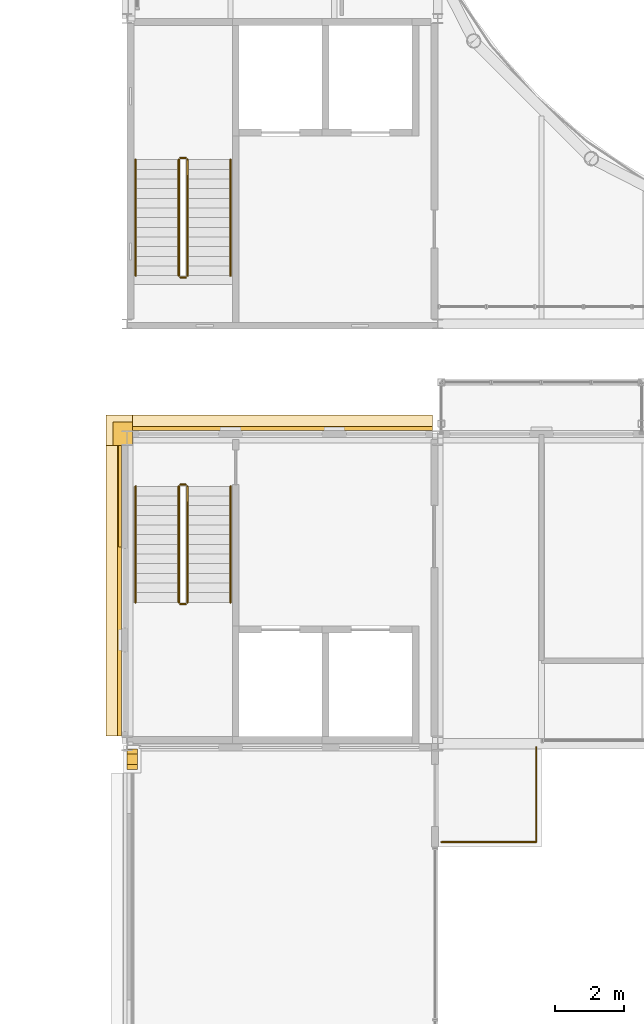
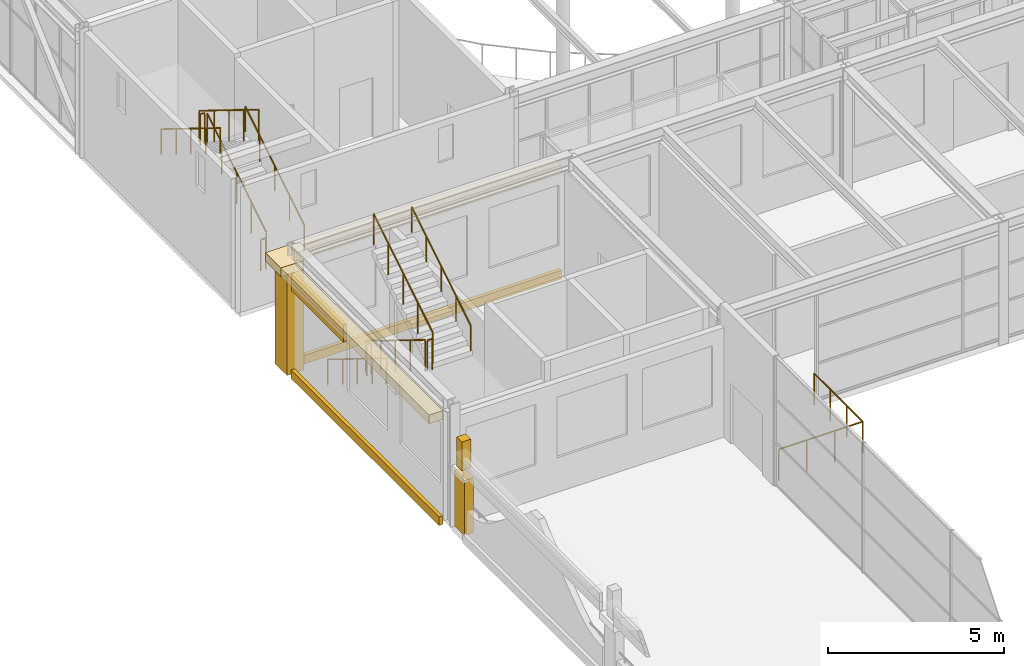
# One storey, part 65 of 70: 13 railings, 10 coverings.
"""IFC4 building model written with IfcOpenShell, lengths in metres."""

import ifcopenshell
import ifcopenshell.guid

model = None  # the IFC model being written
_history = None  # IfcOwnerHistory: only IFC2X3 demands one
_inside = {}  # id of a spatial element -> (the spatial element, [elements in it])
_under = {}  # id of a project, library or spatial element -> (it, [spatial elements below it])
_declared = {}  # id of a project -> (the project, [libraries it declares])
_typed = {}  # id of a type object -> (the type object, [elements of that type])
_made_of = {}  # id of a material, layer set ... -> (it, [elements and type objects made of it])


def new_model(schema):
    """Start an empty IFC model of exactly this schema.

    Asked for "IFC4X3", IfcOpenShell would pick the latest addendum, in which some entities
    have other attributes; the version numbers below select the first issue.
    IFC2X3 requires an IfcOwnerHistory on every rooted entity: one is made here for all.
    """
    global model, _history
    if schema == "IFC4X3":
        model = ifcopenshell.file(schema_version=(4, 3, 0, 0))
    else:
        model = ifcopenshell.file(schema=schema)
    _inside.clear()
    _under.clear()
    _declared.clear()
    _typed.clear()
    _made_of.clear()
    _history = None
    if model.schema == "IFC2X3":
        org = make("IfcOrganization", Name="unknown")
        user = make(
            "IfcPersonAndOrganization",
            ThePerson=make("IfcPerson", FamilyName="unknown"),
            TheOrganization=org,
        )
        app = make(
            "IfcApplication",
            ApplicationDeveloper=org,
            Version="unknown",
            ApplicationFullName="unknown",
            ApplicationIdentifier="unknown",
        )
        _history = make(
            "IfcOwnerHistory",
            OwningUser=user,
            OwningApplication=app,
            ChangeAction="ADDED",
            CreationDate=0,
        )
    return model


def make(cls, **values):
    """One entity of the class cls with the attributes given. An attribute that is None is left unset."""
    return model.create_entity(
        cls, **{name: value for name, value in values.items() if value is not None}
    )


def rooted(cls, **values):
    """An entity with a GlobalId (a new one), such as an element, a storey or a relation."""
    return make(cls, GlobalId=ifcopenshell.guid.new(), OwnerHistory=_history, **values)


def si_unit(unit_type, name, prefix=None):
    """IfcSIUnit, for example si_unit("LENGTHUNIT", "METRE", prefix="MILLI")."""
    return make("IfcSIUnit", UnitType=unit_type, Prefix=prefix, Name=name)


def assignment(units):
    """IfcUnitAssignment: the units of a project."""
    return None if units is None else make("IfcUnitAssignment", Units=units)


def point(xyz):
    """IfcCartesianPoint."""
    return None if xyz is None else make("IfcCartesianPoint", Coordinates=xyz)


def direction(xyz):
    """IfcDirection."""
    return None if xyz is None else make("IfcDirection", DirectionRatios=xyz)


def frame(location, z_axis=None, x_axis=None):
    """IfcAxis2Placement3D, a coordinate frame: its origin and axes. An axis left out is left unset."""
    return make(
        "IfcAxis2Placement3D",
        Location=point(location),
        Axis=direction(z_axis),
        RefDirection=direction(x_axis),
    )


def frame_2d(location, x_axis=None):
    """IfcAxis2Placement2D, a coordinate frame in the plane: its origin and x axis."""
    return make(
        "IfcAxis2Placement2D", Location=point(location), RefDirection=direction(x_axis)
    )


def origin():
    """The frame at (0, 0, 0) with its axes left unset."""
    return frame((0.0, 0.0, 0.0))


def origin_2d():
    """The frame at (0, 0) in the plane with its x axis left unset."""
    return frame_2d((0.0, 0.0))


def place(relative_to, where):
    """IfcLocalPlacement: puts the frame where relative to a parent placement (None: the world)."""
    return make(
        "IfcLocalPlacement", PlacementRelTo=relative_to, RelativePlacement=where
    )


def context(
    kind, dimensions, precision=None, world=None, true_north=None, identifier=None
):
    """IfcGeometricRepresentationContext, for example the 3D "Model" context."""
    return make(
        "IfcGeometricRepresentationContext",
        ContextIdentifier=identifier,
        ContextType=kind,
        CoordinateSpaceDimension=dimensions,
        Precision=precision,
        WorldCoordinateSystem=world,
        TrueNorth=true_north,
    )


def subcontext(parent, identifier, kind, view, scale=None):
    """IfcGeometricRepresentationSubContext, for example "Body" below "Model"."""
    return make(
        "IfcGeometricRepresentationSubContext",
        ContextIdentifier=identifier,
        ContextType=kind,
        ParentContext=parent,
        TargetScale=scale,
        TargetView=view,
    )


def project(units=None, contexts=None):
    """IfcProject with its units and contexts."""
    return rooted(
        "IfcProject",
        Name="project",
        RepresentationContexts=contexts,
        UnitsInContext=assignment(units),
    )


def spatial(cls, under=None, at=None, **own):
    """A site, building, storey or space (cls), placed at a placement, below another one or the project."""
    s = rooted(cls, ObjectPlacement=at, **own)
    if under is not None:
        _under.setdefault(under.id(), (under, []))[1].append(s)
    return s


def profile(cls, at=None, kind="AREA", **sizes):
    """A parametric profile (cls). Its sizes go by their IFC names, for example OverallWidth=200.0."""
    return make(cls, ProfileType=kind, Position=at, **sizes)


def rectangle(**sizes):
    """IfcRectangleProfileDef."""
    return profile("IfcRectangleProfileDef", **sizes)


def circle(**sizes):
    """IfcCircleProfileDef."""
    return profile("IfcCircleProfileDef", **sizes)


def extrude(swept, where, along, depth):
    """IfcExtrudedAreaSolid: the profile swept, set in the frame where, extruded along a direction by depth."""
    return make(
        "IfcExtrudedAreaSolid",
        SweptArea=swept,
        Position=where,
        ExtrudedDirection=direction(along),
        Depth=depth,
    )


def shape(context_of_items, identifier, shape_type, items):
    """IfcShapeRepresentation: the items that make up one representation, for example the "Body"."""
    return make(
        "IfcShapeRepresentation",
        ContextOfItems=context_of_items,
        RepresentationIdentifier=identifier,
        RepresentationType=shape_type,
        Items=items,
    )


def material(Name=None, Category=None):
    """IfcMaterial."""
    return make("IfcMaterial", Name=Name, Category=Category)


def layer(
    of_material, thickness, ventilated=None, Name=None, Category=None, Priority=None
):
    """IfcMaterialLayer: one layer of a wall or slab, of a material (None: an air gap)."""
    return make(
        "IfcMaterialLayer",
        Material=of_material,
        LayerThickness=thickness,
        IsVentilated=ventilated,
        Name=Name,
        Category=Category,
        Priority=Priority,
    )


def layer_set(layers, Name=None):
    """IfcMaterialLayerSet."""
    return make("IfcMaterialLayerSet", MaterialLayers=layers, LayerSetName=Name)


def made_of(thing, what):
    """Note that an element or type object is made of a material, layer set ...; save() writes the relation."""
    if what is not None:
        _made_of.setdefault(what.id(), (what, []))[1].append(thing)
    return thing


def type_object(cls, material=None, **own):
    """A type object (cls), such as IfcWallType, which elements share."""
    return made_of(rooted(cls, **own), material)


def element(
    cls,
    number,
    at=None,
    inside=None,
    cuts=None,
    type_object=None,
    material=None,
    context=None,
    identifier="Body",
    shape_type=None,
    held_by="IfcProductDefinitionShape",
    body=None,
    shapes=None,
    **own,
):
    """One element of the class cls, such as IfcWall. Its Tag is "e" and its number.

    at: its placement. inside: the storey or other place that contains it. cuts: it is an
    opening in that element (IfcRelVoidsElement). A single representation is given by context,
    identifier, shape_type and body (its items); several are given by shapes. held_by: the class
    of the entity that holds the representations. save() writes the other relations.
    """
    e = rooted(cls, Tag="e%d" % number, ObjectPlacement=at, **own)
    if body is not None:
        shapes = [shape(context, identifier, shape_type, body)]
    if shapes is not None:
        e.Representation = make(held_by, Representations=shapes)
    if inside is not None:
        _inside.setdefault(inside.id(), (inside, []))[1].append(e)
    if cuts is not None:
        rooted(
            "IfcRelVoidsElement", RelatingBuildingElement=cuts, RelatedOpeningElement=e
        )
    if type_object is not None:
        _typed.setdefault(type_object.id(), (type_object, []))[1].append(e)
    return made_of(e, material)


def aggregate(whole, parts):
    """IfcRelAggregates: a whole, such as a stair, and the parts it consists of."""
    return rooted("IfcRelAggregates", RelatingObject=whole, RelatedObjects=parts)


def save(model, path):
    """Write the relations noted so far, then the file.

    IfcRelAggregates (storeys below a building ...), IfcRelContainedInSpatialStructure (elements
    in a storey), IfcRelDefinesByType, IfcRelAssociatesMaterial and IfcRelDeclares: one each for
    every whole, place, type object, material and project.
    """
    for whole, parts in _under.values():
        aggregate(whole, parts)
    for where, things in _inside.values():
        rooted(
            "IfcRelContainedInSpatialStructure",
            RelatedElements=things,
            RelatingStructure=where,
        )
    for kind, things in _typed.values():
        rooted("IfcRelDefinesByType", RelatedObjects=things, RelatingType=kind)
    for what, things in _made_of.values():
        rooted("IfcRelAssociatesMaterial", RelatedObjects=things, RelatingMaterial=what)
    for by, libraries in _declared.values():
        rooted("IfcRelDeclares", RelatingContext=by, RelatedDefinitions=libraries)
    model.write(path)


model = new_model("IFC4")

# Units and contexts
model_context = context("Model", 3, precision=1e-05, world=origin(), true_north=direction((0.0, 1.0)))
body_context = subcontext(model_context, "Body", "Model", "MODEL_VIEW")
ifc_project = project(units=[si_unit("LENGTHUNIT", "METRE"), si_unit("AREAUNIT", "SQUARE_METRE"), si_unit("VOLUMEUNIT", "CUBIC_METRE"), si_unit("PLANEANGLEUNIT", "RADIAN"), si_unit("MASSUNIT", "GRAM", prefix="KILO")], contexts=[model_context])

# Site, building, storey
site_placement = place(None, origin())
site = spatial("IfcSite", under=ifc_project, at=site_placement, CompositionType="ELEMENT")
building_placement = place(site_placement, origin())
building = spatial("IfcBuilding", under=site, at=building_placement, Name="Kallimachos Central Library", CompositionType="ELEMENT")
storey_placement = place(building_placement, frame((0.0, 0.0, 18.89990234375)))
storey = spatial("IfcBuildingStorey", under=building, at=storey_placement, Name="L04", CompositionType="ELEMENT", Elevation=18.89990234375)

# Railing
ifc_material_1 = material(Name="Wrought iron")
railing_type_1 = type_object("IfcRailingType", Name="Gallery guard", PredefinedType="GUARDRAIL", material=ifc_material_1)
railing_1_placement = place(storey_placement, frame((74.60009765625, 72.14990234375, 0.0)))
element("IfcRailing", 1, at=railing_1_placement, inside=storey, type_object=railing_type_1, Name="L04 corner landing guard west", PredefinedType="GUARDRAIL", context=body_context, shape_type="SweptSolid", body=[
    extrude(circle(Radius=0.02392578125, at=origin_2d()), frame((0.0, 0.0, 1.076171875), z_axis=(1.0, 0.0, 0.0), x_axis=(0.0, 1.0, 0.0)), (0.0, 0.0, 1.0), 2.75),
    extrude(circle(Radius=0.02392578125, at=origin_2d()), frame((2.75, 0.0, 1.076171875), z_axis=(0.0, 1.0, 0.0), x_axis=(-1.0, 0.0, 0.0)), (0.0, 0.0, 1.0), 2.75),
    extrude(circle(Radius=0.02099609375, at=origin_2d()), origin(), (0.0, 0.0, 1.0), 1.052001953125),
    extrude(circle(Radius=0.02099609375, at=origin_2d()), frame((0.916748046875, 0.0, 0.0)), (0.0, 0.0, 1.0), 1.052001953125),
    extrude(circle(Radius=0.02099609375, at=origin_2d()), frame((1.833251953125, 0.0, 0.0)), (0.0, 0.0, 1.0), 1.052001953125),
    extrude(circle(Radius=0.02099609375, at=origin_2d()), frame((2.75, 0.0, 0.0)), (0.0, 0.0, 1.0), 1.052001953125),
    extrude(circle(Radius=0.02099609375, at=origin_2d()), frame((2.75, 0.916748046875, 0.0)), (0.0, 0.0, 1.0), 1.052001953125),
    extrude(circle(Radius=0.02099609375, at=origin_2d()), frame((2.75, 1.833251953125, 0.0)), (0.0, 0.0, 1.0), 1.052001953125),
    extrude(circle(Radius=0.02099609375, at=origin_2d()), frame((2.75, 2.75, 0.0)), (0.0, 0.0, 1.0), 1.052001953125),
])

# Coverings
ifc_material_2 = material(Name="Glazed ceramic frieze, green")
ifc_layer_1 = layer(ifc_material_2, 0.10009765625)
ifc_layer_set_1 = layer_set([ifc_layer_1], Name="Glazed ceramic frieze, green")
covering_type_1 = type_object("IfcCoveringType", Name="Glazed ceramic frieze, green", PredefinedType="CLADDING", material=ifc_layer_set_1)
covering_1_placement = place(storey_placement, frame((65.29638671875, 82.1669921875, 3.18017578125), z_axis=(0.0, 0.0, 1.0), x_axis=(1.0, 0.0, 0.0)))
element("IfcCovering", 2, at=covering_1_placement, inside=storey, type_object=covering_type_1, Name="Glazed ceramic frieze, green -L04-020", PredefinedType="CLADDING", context=body_context, shape_type="SweptSolid", body=[
    extrude(rectangle(XDim=0.10009765625, YDim=2.93408203125, at=origin_2d()), origin(), (0.0, 0.0, 1.0), 0.300048828125),
])
ifc_material_3 = material(Name="Glazed ceramic frieze, ochre")
ifc_layer_2 = layer(ifc_material_3, 0.10009765625)
ifc_layer_set_2 = layer_set([ifc_layer_2], Name="Glazed ceramic frieze, ochre")
covering_type_2 = type_object("IfcCoveringType", Name="Glazed ceramic frieze, ochre", PredefinedType="CLADDING", material=ifc_layer_set_2)
covering_2_placement = place(storey_placement, frame((65.29638671875, 82.1669921875, 2.8798828125), z_axis=(0.0, 0.0, 1.0), x_axis=(1.0, 0.0, 0.0)))
element("IfcCovering", 3, at=covering_2_placement, inside=storey, type_object=covering_type_2, Name="Glazed ceramic frieze, ochre -L04-020", PredefinedType="CLADDING", context=body_context, shape_type="SweptSolid", body=[
    extrude(rectangle(XDim=0.10009765625, YDim=2.93408203125, at=origin_2d()), origin(), (0.0, 0.0, 1.0), 0.300048828125),
])

# Railings
ifc_material_4 = material(Name="Wrought iron")
railing_type_2 = type_object("IfcRailingType", Name="Stair guard", PredefinedType="GUARDRAIL", material=ifc_material_4)
railing_2_placement = place(storey_placement, frame((67.0, 82.449951171875, 0.173095703125)))
element("IfcRailing", 4, at=railing_2_placement, inside=storey, type_object=railing_type_2, Name="L04 ST9 stair guard 1", PredefinedType="GUARDRAIL", context=body_context, shape_type="SweptSolid", body=[
    extrude(circle(Radius=0.02392578125, at=origin_2d()), frame((0.0, 0.0, 1.076171875), z_axis=(0.0, -0.850606129759, 0.525803396734), x_axis=(1.0, 0.0, 0.0)), (0.0, 0.0, 1.0), 3.949951171875),
    extrude(circle(Radius=0.02099609375, at=origin_2d()), origin(), (0.0, 0.0, 1.0), 1.052001953125),
    extrude(circle(Radius=0.02099609375, at=origin_2d()), frame((0.0, -0.83984375, 0.519287109375)), (0.0, 0.0, 1.0), 1.052001953125),
    extrude(circle(Radius=0.02099609375, at=origin_2d()), frame((0.0, -1.679931640625, 1.03857421875)), (0.0, 0.0, 1.0), 1.052001953125),
    extrude(circle(Radius=0.02099609375, at=origin_2d()), frame((0.0, -2.52001953125, 1.5576171875)), (0.0, 0.0, 1.0), 1.052001953125),
    extrude(circle(Radius=0.02099609375, at=origin_2d()), frame((0.0, -3.35986328125, 2.076904296875)), (0.0, 0.0, 1.0), 1.052001953125),
])
railing_3_placement = place(storey_placement, frame((67.050048828125, 79.0400390625, 2.25)))
element("IfcRailing", 5, at=railing_3_placement, inside=storey, type_object=railing_type_2, Name="L04 ST9 stair guard 2", PredefinedType="GUARDRAIL", context=body_context, shape_type="SweptSolid", body=[
    extrude(circle(Radius=0.02392578125, at=origin_2d()), frame((0.0, 0.0, 1.076171875), z_axis=(1.0, 0.0, 0.0), x_axis=(0.0, 1.0, 0.0)), (0.0, 0.0, 1.0), 0.14990234375),
    extrude(circle(Radius=0.02099609375, at=origin_2d()), origin(), (0.0, 0.0, 1.0), 1.052001953125),
    extrude(circle(Radius=0.02099609375, at=origin_2d()), frame((0.14990234375, 0.0, 0.0)), (0.0, 0.0, 1.0), 1.052001953125),
])
railing_4_placement = place(storey_placement, frame((67.25, 79.090087890625, 2.423095703125)))
element("IfcRailing", 6, at=railing_4_placement, inside=storey, type_object=railing_type_2, Name="L04 ST9 stair guard 3", PredefinedType="GUARDRAIL", context=body_context, shape_type="SweptSolid", body=[
    extrude(circle(Radius=0.02392578125, at=origin_2d()), frame((0.0, 0.0, 1.076171875), z_axis=(0.0, 0.850606129759, 0.525803396734), x_axis=(-1.0, 0.0, 0.0)), (0.0, 0.0, 1.0), 3.949951171875),
    extrude(circle(Radius=0.02099609375, at=origin_2d()), origin(), (0.0, 0.0, 1.0), 1.052001953125),
    extrude(circle(Radius=0.02099609375, at=origin_2d()), frame((0.0, 0.83984375, 0.519287109375)), (0.0, 0.0, 1.0), 1.052001953125),
    extrude(circle(Radius=0.02099609375, at=origin_2d()), frame((0.0, 1.679931640625, 1.03857421875)), (0.0, 0.0, 1.0), 1.052001953125),
    extrude(circle(Radius=0.02099609375, at=origin_2d()), frame((0.0, 2.52001953125, 1.5576171875)), (0.0, 0.0, 1.0), 1.052001953125),
    extrude(circle(Radius=0.02099609375, at=origin_2d()), frame((0.0, 3.35986328125, 2.076904296875)), (0.0, 0.0, 1.0), 1.052001953125),
])
railing_5_placement = place(storey_placement, frame((67.050048828125, 82.5, 0.0)))
element("IfcRailing", 7, at=railing_5_placement, inside=storey, type_object=railing_type_2, Name="L04 ST9 stair guard 4", PredefinedType="GUARDRAIL", context=body_context, shape_type="SweptSolid", body=[
    extrude(circle(Radius=0.02392578125, at=origin_2d()), frame((0.0, 0.0, 1.076171875), z_axis=(1.0, 0.0, 0.0), x_axis=(0.0, 1.0, 0.0)), (0.0, 0.0, 1.0), 0.14990234375),
    extrude(circle(Radius=0.02099609375, at=origin_2d()), origin(), (0.0, 0.0, 1.0), 1.052001953125),
    extrude(circle(Radius=0.02099609375, at=origin_2d()), frame((0.14990234375, 0.0, 0.0)), (0.0, 0.0, 1.0), 1.052001953125),
])
ifc_material_5 = material(Name="Wrought iron")
railing_type_3 = type_object("IfcRailingType", Name="Stair handrail", PredefinedType="HANDRAIL", material=ifc_material_5)
railing_6_placement = place(storey_placement, frame((65.75, 82.449951171875, 0.173095703125)))
element("IfcRailing", 8, at=railing_6_placement, inside=storey, type_object=railing_type_3, Name="L04 ST9 stair handrail 1", PredefinedType="HANDRAIL", context=body_context, shape_type="SweptSolid", body=[
    extrude(circle(Radius=0.02392578125, at=origin_2d()), frame((0.0, 0.0, 0.8759765625), z_axis=(0.0, -0.850606129759, 0.525803396734), x_axis=(1.0, 0.0, 0.0)), (0.0, 0.0, 1.0), 3.949951171875),
    extrude(circle(Radius=0.02099609375, at=origin_2d()), origin(), (0.0, 0.0, 1.0), 0.851806640625),
    extrude(circle(Radius=0.02099609375, at=origin_2d()), frame((0.0, -0.83984375, 0.519287109375)), (0.0, 0.0, 1.0), 0.851806640625),
    extrude(circle(Radius=0.02099609375, at=origin_2d()), frame((0.0, -1.679931640625, 1.03857421875)), (0.0, 0.0, 1.0), 0.851806640625),
    extrude(circle(Radius=0.02099609375, at=origin_2d()), frame((0.0, -2.52001953125, 1.5576171875)), (0.0, 0.0, 1.0), 0.851806640625),
    extrude(circle(Radius=0.02099609375, at=origin_2d()), frame((0.0, -3.35986328125, 2.076904296875)), (0.0, 0.0, 1.0), 0.851806640625),
])
railing_7_placement = place(storey_placement, frame((68.5, 79.090087890625, 2.423095703125)))
element("IfcRailing", 9, at=railing_7_placement, inside=storey, type_object=railing_type_3, Name="L04 ST9 stair handrail 2", PredefinedType="HANDRAIL", context=body_context, shape_type="SweptSolid", body=[
    extrude(circle(Radius=0.02392578125, at=origin_2d()), frame((0.0, 0.0, 0.8759765625), z_axis=(0.0, 0.850606129759, 0.525803396734), x_axis=(-1.0, 0.0, 0.0)), (0.0, 0.0, 1.0), 3.949951171875),
    extrude(circle(Radius=0.02099609375, at=origin_2d()), origin(), (0.0, 0.0, 1.0), 0.851806640625),
    extrude(circle(Radius=0.02099609375, at=origin_2d()), frame((0.0, 0.83984375, 0.519287109375)), (0.0, 0.0, 1.0), 0.851806640625),
    extrude(circle(Radius=0.02099609375, at=origin_2d()), frame((0.0, 1.679931640625, 1.03857421875)), (0.0, 0.0, 1.0), 0.851806640625),
    extrude(circle(Radius=0.02099609375, at=origin_2d()), frame((0.0, 2.52001953125, 1.5576171875)), (0.0, 0.0, 1.0), 0.851806640625),
    extrude(circle(Radius=0.02099609375, at=origin_2d()), frame((0.0, 3.35986328125, 2.076904296875)), (0.0, 0.0, 1.0), 0.851806640625),
])

# Coverings
ifc_material_6 = material(Name="Pentelic marble attic moulding", Category="masonry")
ifc_layer_3 = layer(ifc_material_6, 0.1201171875)
ifc_layer_set_3 = layer_set([ifc_layer_3], Name="Stone attic moulding 300")
covering_type_3 = type_object("IfcCoveringType", Name="Stone attic moulding 300", PredefinedType="MOLDING", material=ifc_layer_set_3)
covering_3_placement = place(storey_placement, frame((70.0, 84.1259765625, -0.14990234375), z_axis=(0.0, 0.0, 1.0), x_axis=(1.0, 0.0, 0.0)))
element("IfcCovering", 10, at=covering_3_placement, inside=storey, type_object=covering_type_3, Name="Stone attic moulding 300 -L04-015", PredefinedType="MOLDING", context=body_context, shape_type="SweptSolid", body=[
    extrude(rectangle(XDim=8.693115234375, YDim=0.1201171875, at=origin_2d()), origin(), (0.0, 0.0, 1.0), 0.300048828125),
])
covering_4_placement = place(storey_placement, frame((65.28662109375, 79.425048828125, -0.14990234375), z_axis=(0.0, 0.0, 1.0), x_axis=(1.0, 0.0, 0.0)))
element("IfcCovering", 11, at=covering_4_placement, inside=storey, type_object=covering_type_3, Name="Stone attic moulding 300 -L04-020", PredefinedType="MOLDING", context=body_context, shape_type="SweptSolid", body=[
    extrude(rectangle(XDim=0.1201171875, YDim=8.41796875, at=origin_2d()), origin(), (0.0, 0.0, 1.0), 0.300048828125),
])
ifc_material_7 = material(Name="Pentelic marble cornice", Category="masonry")
ifc_layer_4 = layer(ifc_material_7, 0.449951171875)
ifc_layer_set_4 = layer_set([ifc_layer_4], Name="Stone cornice 450")
covering_type_4 = type_object("IfcCoveringType", Name="Stone cornice 450", PredefinedType="MOLDING", material=ifc_layer_set_4)
covering_5_placement = place(storey_placement, frame((70.0, 84.291015625, 3.5), z_axis=(0.0, 0.0, 1.0), x_axis=(1.0, 0.0, 0.0)))
element("IfcCovering", 12, at=covering_5_placement, inside=storey, type_object=covering_type_4, Name="Stone cornice 450 -L04-015", PredefinedType="MOLDING", context=body_context, shape_type="SweptSolid", body=[
    extrude(rectangle(XDim=8.693115234375, YDim=0.449951171875, at=origin_2d()), origin(), (0.0, 0.0, 1.0), 0.300048828125),
])
covering_6_placement = place(storey_placement, frame((65.12158203125, 79.425048828125, 3.5), z_axis=(0.0, 0.0, 1.0), x_axis=(1.0, 0.0, 0.0)))
element("IfcCovering", 13, at=covering_6_placement, inside=storey, type_object=covering_type_4, Name="Stone cornice 450 -L04-020", PredefinedType="MOLDING", context=body_context, shape_type="SweptSolid", body=[
    extrude(rectangle(XDim=0.449951171875, YDim=8.41796875, at=origin_2d()), origin(), (0.0, 0.0, 1.0), 0.300048828125),
])
covering_7_placement = place(storey_placement, frame((65.27490234375, 84.074951171875, 3.5), z_axis=(0.0, 0.0, 1.0), x_axis=(1.0, 0.0, 0.0)))
element("IfcCovering", 14, at=covering_7_placement, inside=storey, type_object=covering_type_4, Name="Stone cornice 450 corner", PredefinedType="MOLDING", context=body_context, shape_type="SweptSolid", body=[
    extrude(rectangle(XDim=0.757080078125, YDim=0.882080078125, at=origin_2d()), origin(), (0.0, 0.0, 1.0), 0.300048828125),
])
ifc_material_8 = material(Name="Pentelic marble pilaster", Category="masonry")
ifc_layer_5 = layer(ifc_material_8, 0.25)
ifc_layer_set_5 = layer_set([ifc_layer_5], Name="Stone pilaster 250")
covering_type_5 = type_object("IfcCoveringType", Name="Stone pilaster 250", PredefinedType="CLADDING", material=ifc_layer_set_5)
covering_8_placement = place(storey_placement, frame((65.375, 83.97509765625, 0.0), z_axis=(0.0, 0.0, 1.0), x_axis=(1.0, 0.0, 0.0)))
element("IfcCovering", 15, at=covering_8_placement, inside=storey, type_object=covering_type_5, Name="Stone pilaster 250 corner", PredefinedType="CLADDING", context=body_context, shape_type="SweptSolid", body=[
    extrude(rectangle(XDim=0.556884765625, YDim=0.681884765625, at=origin_2d()), origin(), (0.0, 0.0, 1.0), 3.5),
])
ifc_material_9 = material(Name="Pentelic marble finial", Category="masonry")
ifc_layer_6 = layer(ifc_material_9, 0.300048828125)
ifc_layer_set_6 = layer_set([ifc_layer_6], Name="Stone pinnacle finial 300")
covering_type_6 = type_object("IfcCoveringType", Name="Stone pinnacle finial 300", PredefinedType="MOLDING", material=ifc_layer_set_6)
covering_9_placement = place(storey_placement, frame((65.64990234375, 74.550048828125, 2.150146484375), z_axis=(0.0, 0.0, 1.0), x_axis=(1.0, 0.0, 0.0)))
element("IfcCovering", 16, at=covering_9_placement, inside=storey, type_object=covering_type_6, Name="West wing roof edge pinnacle 3 finial", PredefinedType="MOLDING", context=body_context, shape_type="SweptSolid", body=[
    extrude(rectangle(XDim=0.300048828125, YDim=0.300048828125, at=origin_2d()), origin(), (0.0, 0.0, 1.0), 1.0),
])
ifc_material_10 = material(Name="Pentelic marble pinnacle", Category="masonry")
ifc_layer_7 = layer(ifc_material_10, 0.60009765625)
ifc_layer_set_7 = layer_set([ifc_layer_7], Name="Stone pinnacle shaft 600")
covering_type_7 = type_object("IfcCoveringType", Name="Stone pinnacle shaft 600", PredefinedType="MOLDING", material=ifc_layer_set_7)
covering_10_placement = place(storey_placement, frame((65.64990234375, 74.550048828125, 0.000244140625), z_axis=(0.0, 0.0, 1.0), x_axis=(1.0, 0.0, 0.0)))
element("IfcCovering", 17, at=covering_10_placement, inside=storey, type_object=covering_type_7, Name="West wing roof edge pinnacle 3 shaft", PredefinedType="MOLDING", context=body_context, shape_type="SweptSolid", body=[
    extrude(rectangle(XDim=0.300048828125, YDim=0.60009765625, at=origin_2d()), origin(), (0.0, 0.0, 1.0), 1.89990234375),
])

# Railings
ifc_material_11 = material(Name="Wrought iron")
railing_type_4 = type_object("IfcRailingType", Name="Wrought-iron handrail 900", PredefinedType="HANDRAIL", material=ifc_material_11)
railing_8_placement = place(storey_placement, frame((68.5, 88.550048828125, 0.173095703125)))
element("IfcRailing", 18, at=railing_8_placement, inside=storey, type_object=railing_type_4, Name="L04 ST1 stair handrail 1", PredefinedType="HANDRAIL", context=body_context, shape_type="SweptSolid", body=[
    extrude(circle(Radius=0.02392578125, at=origin_2d()), frame((0.0, 0.0, 0.8759765625), z_axis=(0.0, 0.850606129759, 0.525803396734), x_axis=(-1.0, 0.0, 0.0)), (0.0, 0.0, 1.0), 3.949951171875),
    extrude(circle(Radius=0.02099609375, at=origin_2d()), origin(), (0.0, 0.0, 1.0), 0.851806640625),
    extrude(circle(Radius=0.02099609375, at=origin_2d()), frame((0.0, 0.83984375, 0.519287109375)), (0.0, 0.0, 1.0), 0.851806640625),
    extrude(circle(Radius=0.02099609375, at=origin_2d()), frame((0.0, 1.679931640625, 1.03857421875)), (0.0, 0.0, 1.0), 0.851806640625),
    extrude(circle(Radius=0.02099609375, at=origin_2d()), frame((0.0, 2.52001953125, 1.5576171875)), (0.0, 0.0, 1.0), 0.851806640625),
    extrude(circle(Radius=0.02099609375, at=origin_2d()), frame((0.0, 3.35986328125, 2.076904296875)), (0.0, 0.0, 1.0), 0.851806640625),
])
railing_9_placement = place(storey_placement, frame((65.75, 91.909912109375, 2.423095703125)))
element("IfcRailing", 19, at=railing_9_placement, inside=storey, type_object=railing_type_4, Name="L04 ST1 stair handrail 2", PredefinedType="HANDRAIL", context=body_context, shape_type="SweptSolid", body=[
    extrude(circle(Radius=0.02392578125, at=origin_2d()), frame((0.0, 0.0, 0.8759765625), z_axis=(0.0, -0.850606129759, 0.525803396734), x_axis=(1.0, 0.0, 0.0)), (0.0, 0.0, 1.0), 3.949951171875),
    extrude(circle(Radius=0.02099609375, at=origin_2d()), origin(), (0.0, 0.0, 1.0), 0.851806640625),
    extrude(circle(Radius=0.02099609375, at=origin_2d()), frame((0.0, -0.83984375, 0.519287109375)), (0.0, 0.0, 1.0), 0.851806640625),
    extrude(circle(Radius=0.02099609375, at=origin_2d()), frame((0.0, -1.679931640625, 1.03857421875)), (0.0, 0.0, 1.0), 0.851806640625),
    extrude(circle(Radius=0.02099609375, at=origin_2d()), frame((0.0, -2.52001953125, 1.5576171875)), (0.0, 0.0, 1.0), 0.851806640625),
    extrude(circle(Radius=0.02099609375, at=origin_2d()), frame((0.0, -3.35986328125, 2.076904296875)), (0.0, 0.0, 1.0), 0.851806640625),
])
ifc_material_12 = material(Name="Wrought iron")
railing_type_5 = type_object("IfcRailingType", Name="Wrought-iron stair guard 1100", PredefinedType="GUARDRAIL", material=ifc_material_12)
railing_10_placement = place(storey_placement, frame((67.25, 88.550048828125, 0.173095703125)))
element("IfcRailing", 20, at=railing_10_placement, inside=storey, type_object=railing_type_5, Name="L04 ST1 stair guard 1", PredefinedType="GUARDRAIL", context=body_context, shape_type="SweptSolid", body=[
    extrude(circle(Radius=0.02392578125, at=origin_2d()), frame((0.0, 0.0, 1.076171875), z_axis=(0.0, 0.850606129759, 0.525803396734), x_axis=(-1.0, 0.0, 0.0)), (0.0, 0.0, 1.0), 3.949951171875),
    extrude(circle(Radius=0.02099609375, at=origin_2d()), origin(), (0.0, 0.0, 1.0), 1.052001953125),
    extrude(circle(Radius=0.02099609375, at=origin_2d()), frame((0.0, 0.83984375, 0.519287109375)), (0.0, 0.0, 1.0), 1.052001953125),
    extrude(circle(Radius=0.02099609375, at=origin_2d()), frame((0.0, 1.679931640625, 1.03857421875)), (0.0, 0.0, 1.0), 1.052001953125),
    extrude(circle(Radius=0.02099609375, at=origin_2d()), frame((0.0, 2.52001953125, 1.5576171875)), (0.0, 0.0, 1.0), 1.052001953125),
    extrude(circle(Radius=0.02099609375, at=origin_2d()), frame((0.0, 3.35986328125, 2.076904296875)), (0.0, 0.0, 1.0), 1.052001953125),
])
railing_11_placement = place(storey_placement, frame((67.199951171875, 91.9599609375, 2.25)))
element("IfcRailing", 21, at=railing_11_placement, inside=storey, type_object=railing_type_5, Name="L04 ST1 stair guard 2", PredefinedType="GUARDRAIL", context=body_context, shape_type="SweptSolid", body=[
    extrude(circle(Radius=0.02392578125, at=origin_2d()), frame((0.0, 0.0, 1.076171875), z_axis=(-1.0, 0.0, 0.0), x_axis=(0.0, -1.0, 0.0)), (0.0, 0.0, 1.0), 0.14990234375),
    extrude(circle(Radius=0.02099609375, at=origin_2d()), origin(), (0.0, 0.0, 1.0), 1.052001953125),
    extrude(circle(Radius=0.02099609375, at=origin_2d()), frame((-0.14990234375, 0.0, 0.0)), (0.0, 0.0, 1.0), 1.052001953125),
])
railing_12_placement = place(storey_placement, frame((67.0, 91.909912109375, 2.423095703125)))
element("IfcRailing", 22, at=railing_12_placement, inside=storey, type_object=railing_type_5, Name="L04 ST1 stair guard 3", PredefinedType="GUARDRAIL", context=body_context, shape_type="SweptSolid", body=[
    extrude(circle(Radius=0.02392578125, at=origin_2d()), frame((0.0, 0.0, 1.076171875), z_axis=(0.0, -0.850606129759, 0.525803396734), x_axis=(1.0, 0.0, 0.0)), (0.0, 0.0, 1.0), 3.949951171875),
    extrude(circle(Radius=0.02099609375, at=origin_2d()), origin(), (0.0, 0.0, 1.0), 1.052001953125),
    extrude(circle(Radius=0.02099609375, at=origin_2d()), frame((0.0, -0.83984375, 0.519287109375)), (0.0, 0.0, 1.0), 1.052001953125),
    extrude(circle(Radius=0.02099609375, at=origin_2d()), frame((0.0, -1.679931640625, 1.03857421875)), (0.0, 0.0, 1.0), 1.052001953125),
    extrude(circle(Radius=0.02099609375, at=origin_2d()), frame((0.0, -2.52001953125, 1.5576171875)), (0.0, 0.0, 1.0), 1.052001953125),
    extrude(circle(Radius=0.02099609375, at=origin_2d()), frame((0.0, -3.35986328125, 2.076904296875)), (0.0, 0.0, 1.0), 1.052001953125),
])
railing_13_placement = place(storey_placement, frame((67.199951171875, 88.5, 0.0)))
element("IfcRailing", 23, at=railing_13_placement, inside=storey, type_object=railing_type_5, Name="L04 ST1 stair guard 4", PredefinedType="GUARDRAIL", context=body_context, shape_type="SweptSolid", body=[
    extrude(circle(Radius=0.02392578125, at=origin_2d()), frame((0.0, 0.0, 1.076171875), z_axis=(-1.0, 0.0, 0.0), x_axis=(0.0, -1.0, 0.0)), (0.0, 0.0, 1.0), 0.14990234375),
    extrude(circle(Radius=0.02099609375, at=origin_2d()), origin(), (0.0, 0.0, 1.0), 1.052001953125),
    extrude(circle(Radius=0.02099609375, at=origin_2d()), frame((-0.14990234375, 0.0, 0.0)), (0.0, 0.0, 1.0), 1.052001953125),
])

save(model, "model.ifc")
